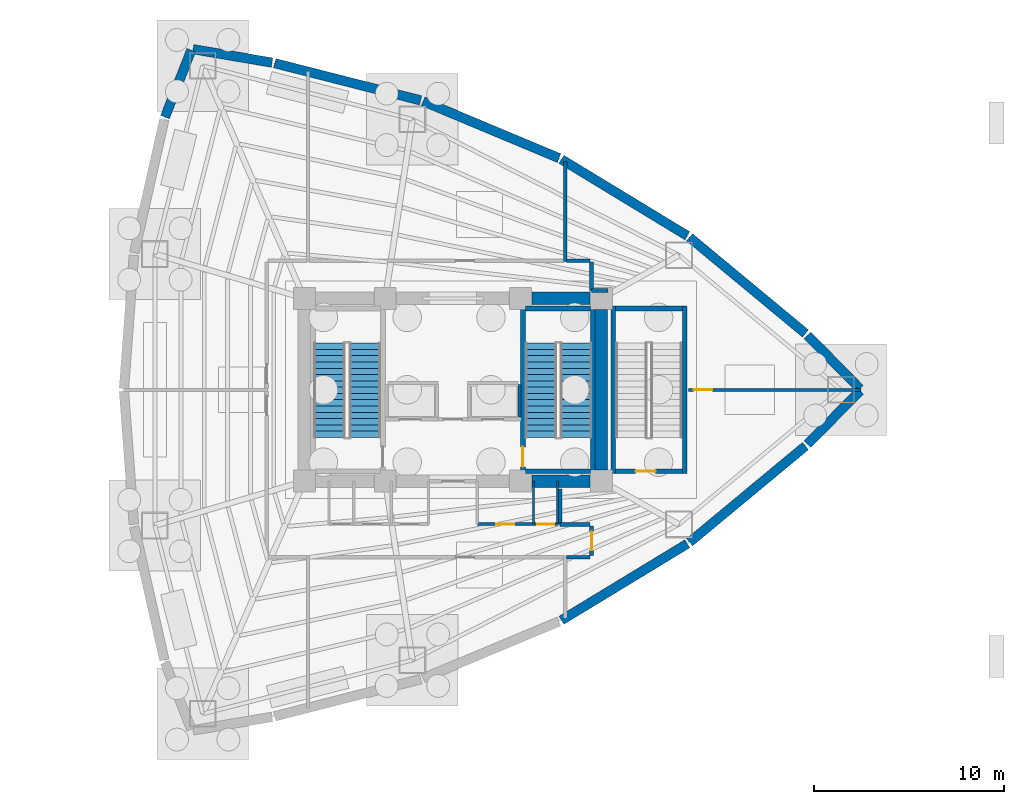
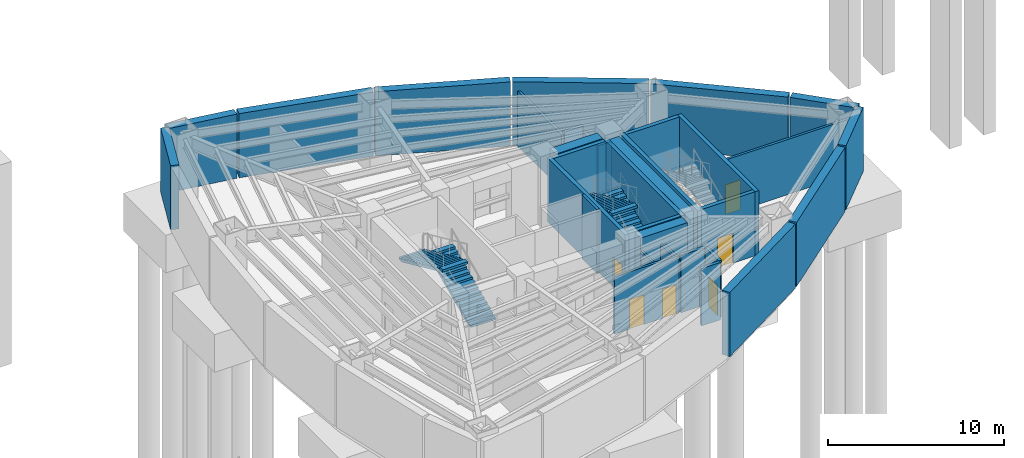
# One storey, part 4 of 7: 34 walls, 6 doors, 4 stair flights, 6 openings, 2 elements without a shape of their own.
"""IFC4 building model written with IfcOpenShell, lengths in metres."""

from ifc_helpers import new_model, si_unit, direction, frame, frame_2d, origin, place, context, subcontext, project, spatial, polyline, rectangle, outline, extrude, material, layer, layer_set, type_object, element, fill, aggregate, save


model = new_model("IFC4")

# Units and contexts
model_context = context("Model", 3, precision=1e-05, world=origin(), true_north=direction((0.0, 1.0)))
body_context = subcontext(model_context, "Body", "Model", "MODEL_VIEW")
ifc_project = project(units=[si_unit("LENGTHUNIT", "METRE"), si_unit("AREAUNIT", "SQUARE_METRE"), si_unit("VOLUMEUNIT", "CUBIC_METRE"), si_unit("PLANEANGLEUNIT", "RADIAN"), si_unit("MASSUNIT", "GRAM", prefix="KILO")], contexts=[model_context])

# Site, building, storey
site_placement = place(None, origin())
site = spatial("IfcSite", under=ifc_project, at=site_placement, CompositionType="ELEMENT")
building_placement = place(site_placement, origin())
building = spatial("IfcBuilding", under=site, at=building_placement, Name="Menara Vayukalpa", CompositionType="ELEMENT")
storey_placement = place(building_placement, frame((0.0, 0.0, -9.60009765625)))
storey = spatial("IfcBuildingStorey", under=building, at=storey_placement, Name="B02", CompositionType="ELEMENT", Elevation=-9.60009765625)

# Walls
ifc_material_1 = material(Name="Concrete C80/95", Category="concrete")
ifc_layer_1 = layer(ifc_material_1, 0.64990234375)
ifc_layer_set_1 = layer_set([ifc_layer_1], Name="Concrete C80/95")
wall_type_1 = type_object("IfcWallType", Name="WAL-CW650", PredefinedType="SHEAR", material=ifc_layer_set_1)
for number, where, z_axis, x_axis, name in (
    (1, (29.7451171875, 17.199951171875, 0.0), (0.0, 0.0, 1.0), (1.0, 0.0, 0.0), "B02 Buttressed Core Shear Wall CWS4"),
    (2, (29.7451171875, 26.800048828125, 0.0), (0.0, 0.0, 1.0), (1.0, 0.0, 0.0), "B02 Buttressed Core Shear Wall CWN4"),
):
    element("IfcWall", number, at=place(storey_placement, frame(where, z_axis=z_axis, x_axis=x_axis)), inside=storey, type_object=wall_type_1, Name=name, PredefinedType="SHEAR", context=body_context, shape_type="SweptSolid", body=[
        extrude(rectangle(XDim=3.059814453125, YDim=0.64990234375, at=frame_2d((1.52978515625, 0.0))), origin(), (0.0, 0.0, 1.0), 4.440185546875),
    ])
wall_1_placement = place(storey_placement, frame((33.39990234375, 17.794921875, 0.0), z_axis=(0.0, 0.0, 1.0), x_axis=(0.0, 1.0, 0.0)))
element("IfcWall", 3, at=wall_1_placement, inside=storey, type_object=wall_type_1, Name="B02 Buttressed Core Shear Wall CWE1", PredefinedType="SHEAR", context=body_context, shape_type="SweptSolid", body=[
    extrude(rectangle(XDim=8.41015625, YDim=0.64990234375, at=frame_2d((4.205078125, 0.0))), origin(), (0.0, 0.0, 1.0), 4.440185546875),
])
ifc_material_2 = material(Name="Lightweight Concrete Blockwork C16/20", Category="masonry")
ifc_layer_2 = layer(ifc_material_2, 0.159912109375)
ifc_layer_set_2 = layer_set([ifc_layer_2], Name="Lightweight Concrete Blockwork C16/20")
wall_type_2 = type_object("IfcWallType", Name="WAL-FR150", PredefinedType="PARTITIONING", material=ifc_layer_set_2)
wall_2_placement = place(storey_placement, frame((29.094970703125, 20.56005859375, 0.0), z_axis=(0.0, 0.0, 1.0), x_axis=(0.0, 1.0, 0.0)))
element("IfcWall", 4, at=wall_2_placement, inside=storey, type_object=wall_type_2, Name="B02 Interior Partition IW-B02-SHW-EE", PredefinedType="PARTITIONING", context=body_context, shape_type="SweptSolid", body=[
    extrude(rectangle(XDim=1.7099609375, YDim=0.159912109375, at=frame_2d((0.85498046875, 0.0))), origin(), (0.0, 0.0, 1.0), 4.440185546875),
])
wall_3_placement = place(storey_placement, frame((31.5, 28.72998046875, 0.0), z_axis=(0.0, 0.0, 1.0), x_axis=(0.0, 1.0, 0.0)))
element("IfcWall", 5, at=wall_3_placement, inside=storey, type_object=wall_type_2, Name="B02 Interior Partition IW-B02-RDIV04", PredefinedType="PARTITIONING", context=body_context, shape_type="SweptSolid", body=[
    extrude(rectangle(XDim=5.26513671875, YDim=0.159912109375, at=frame_2d((2.632568359375, 0.0))), origin(), (0.0, 0.0, 1.0), 3.820068359375),
])

# Wall, opening, door
wall_4_placement = place(storey_placement, frame((37.9599609375, 22.0, 0.0), z_axis=(0.0, 0.0, 1.0), x_axis=(1.0, 0.0, 0.0)))
wall_4 = element("IfcWall", 6, at=wall_4_placement, inside=storey, type_object=wall_type_2, Name="B02 Interior Partition IW-B02-RDIV06", PredefinedType="PARTITIONING", context=body_context, shape_type="SweptSolid", body=[
    extrude(rectangle(XDim=9.079345703125, YDim=0.159912109375, at=frame_2d((4.53955078125, 0.0))), origin(), (0.0, 0.0, 1.0), 3.820068359375),
])
opening_1_placement = place(wall_4_placement, frame((0.280029296875, 0.0, 0.0)))
opening_1 = element("IfcOpeningElement", 7, at=opening_1_placement, cuts=wall_4, Name="Opening ID3", PredefinedType="OPENING", context=body_context, shape_type="SweptSolid", body=[
    extrude(rectangle(XDim=0.97998046875, YDim=2.06005859375, at=frame_2d((0.489990234375, 1.030029296875))), frame((0.0, 0.08984375, 0.0), z_axis=(0.0, -1.0, 0.0), x_axis=(1.0, 0.0, 0.0)), (0.0, 0.0, 1.0), 0.179931640625),
])
ifc_material_3 = material(Name="Fire-Rated Powder-Coated Steel Door", Category="steel")
door_type_1 = type_object("IfcDoorType", Name="DR-FD60", OperationType="NOTDEFINED", PredefinedType="DOOR", material=ifc_material_3)
door_1_placement = place(opening_1_placement, origin())
door_1 = element("IfcDoor", 8, at=door_1_placement, inside=storey, type_object=door_type_1, Name="B02 Interior Door DR-B02-STE05", OperationType="SINGLE_SWING_RIGHT", OverallHeight=2.06005859375, OverallWidth=0.97998046875, PredefinedType="DOOR", context=body_context, shape_type="SweptSolid", body=[
    extrude(rectangle(XDim=0.97998046875, YDim=2.06005859375, at=frame_2d((0.489990234375, 1.030029296875))), frame((0.0, 0.02490234375, 0.0), z_axis=(0.0, -1.0, 0.0), x_axis=(1.0, 0.0, 0.0)), (0.0, 0.0, 1.0), 0.050048828125),
])
fill(opening_1, door_1)

# Wall
ifc_material_4 = material(Name="Lightweight Concrete Blockwork C16/20", Category="masonry")
ifc_layer_3 = layer(ifc_material_4, 0.199951171875)
ifc_layer_set_3 = layer_set([ifc_layer_3], Name="Lightweight Concrete Blockwork C16/20")
wall_type_3 = type_object("IfcWallType", Name="WAL-FR200", PredefinedType="PARTITIONING", material=ifc_layer_set_3)
wall_5_placement = place(storey_placement, frame((31.570068359375, 13.2099609375, 0.0), z_axis=(0.0, 0.0, 1.0), x_axis=(1.0, 0.0, 0.0)))
element("IfcWall", 9, at=wall_5_placement, inside=storey, type_object=wall_type_3, Name="B02 Interior Partition IW-B02-CRM04-1", PredefinedType="PARTITIONING", context=body_context, shape_type="SweptSolid", body=[
    extrude(rectangle(XDim=1.22998046875, YDim=0.199951171875, at=frame_2d((0.614990234375, 0.0))), origin(), (0.0, 0.0, 1.0), 3.97021484375),
])

# Wall, opening, door
wall_6_placement = place(storey_placement, frame((32.8798828125, 13.2900390625, 0.0), z_axis=(0.0, 0.0, 1.0), x_axis=(0.0, 1.0, 0.0)))
wall_6 = element("IfcWall", 10, at=wall_6_placement, inside=storey, type_object=wall_type_3, Name="B02 Interior Partition IW-B02-CRM04-2", PredefinedType="PARTITIONING", context=body_context, shape_type="SweptSolid", body=[
    extrude(rectangle(XDim=1.56005859375, YDim=0.199951171875, at=frame_2d((0.780029296875, 0.0))), origin(), (0.0, 0.0, 1.0), 3.97021484375),
])
opening_2_placement = place(wall_6_placement, frame((0.280029296875, 0.0, 0.0)))
opening_2 = element("IfcOpeningElement", 11, at=opening_2_placement, cuts=wall_6, Name="Opening ID3", PredefinedType="OPENING", context=body_context, shape_type="SweptSolid", body=[
    extrude(rectangle(XDim=0.97998046875, YDim=2.06005859375, at=frame_2d((0.489990234375, 1.030029296875))), frame((0.0, 0.10986328125, 0.0), z_axis=(0.0, -1.0, 0.0), x_axis=(1.0, 0.0, 0.0)), (0.0, 0.0, 1.0), 0.219970703125),
])
door_2_placement = place(opening_2_placement, origin())
door_2 = element("IfcDoor", 12, at=door_2_placement, inside=storey, type_object=door_type_1, Name="B02 Interior Door DR-B02-RM04", OperationType="SINGLE_SWING_LEFT", OverallHeight=2.06005859375, OverallWidth=0.97998046875, PredefinedType="DOOR", context=body_context, shape_type="SweptSolid", body=[
    extrude(rectangle(XDim=0.97998046875, YDim=2.06005859375, at=frame_2d((0.489990234375, 1.030029296875))), frame((0.0, 0.02490234375, 0.0), z_axis=(0.0, -1.0, 0.0), x_axis=(1.0, 0.0, 0.0)), (0.0, 0.0, 1.0), 0.050048828125),
])
fill(opening_2, door_2)

# Walls
wall_7_placement = place(storey_placement, frame((32.800048828125, 14.929931640625, 0.0), z_axis=(0.0, 0.0, 1.0), x_axis=(-1.0, 0.0, 0.0)))
element("IfcWall", 13, at=wall_7_placement, inside=storey, type_object=wall_type_3, Name="B02 Interior Partition IW-B02-CRM04-3", PredefinedType="PARTITIONING", context=body_context, shape_type="SweptSolid", body=[
    extrude(rectangle(XDim=1.580078125, YDim=0.199951171875, at=frame_2d((0.7900390625, 0.0))), origin(), (0.0, 0.0, 1.0), 3.97021484375),
])
wall_8_placement = place(storey_placement, frame((31.219970703125, 14.929931640625, 0.0), z_axis=(0.0, 0.0, 1.0), x_axis=(0.0, 1.0, 0.0)))
element("IfcWall", 14, at=wall_8_placement, inside=storey, type_object=wall_type_3, Name="B02 Interior Partition IW-B02-CRM04-4", PredefinedType="PARTITIONING", context=body_context, shape_type="SweptSolid", body=[
    extrude(rectangle(XDim=1.85009765625, YDim=0.199951171875, at=frame_2d((0.925048828125, 0.0))), origin(), (0.0, 0.0, 1.0), 3.570068359375),
])
wall_9_placement = place(storey_placement, frame((33.739990234375, 27.219970703125, 0.0), z_axis=(0.0, 0.0, 1.0), x_axis=(-1.0, 0.0, 0.0)))
element("IfcWall", 15, at=wall_9_placement, inside=storey, type_object=wall_type_3, Name="B02 Interior Partition IW-B02-CRM05-1", PredefinedType="PARTITIONING", context=body_context, shape_type="SweptSolid", body=[
    extrude(rectangle(XDim=0.860107421875, YDim=0.199951171875, at=frame_2d((0.43017578125, 0.0))), origin(), (0.0, 0.0, 1.0), 3.52001953125),
])
wall_10_placement = place(storey_placement, frame((32.8798828125, 27.219970703125, 0.0), z_axis=(0.0, 0.0, 1.0), x_axis=(0.0, 1.0, 0.0)))
element("IfcWall", 16, at=wall_10_placement, inside=storey, type_object=wall_type_3, Name="B02 Interior Partition IW-B02-CRM05-2", PredefinedType="PARTITIONING", context=body_context, shape_type="SweptSolid", body=[
    extrude(rectangle(XDim=1.47998046875, YDim=0.199951171875, at=frame_2d((0.739990234375, 0.0))), origin(), (0.0, 0.0, 1.0), 3.570068359375),
])
wall_11_placement = place(storey_placement, frame((32.800048828125, 28.780029296875, 0.0), z_axis=(0.0, 0.0, 1.0), x_axis=(-1.0, 0.0, 0.0)))
element("IfcWall", 17, at=wall_11_placement, inside=storey, type_object=wall_type_3, Name="B02 Interior Partition IW-B02-CRM05-3", PredefinedType="PARTITIONING", context=body_context, shape_type="SweptSolid", body=[
    extrude(rectangle(XDim=1.22998046875, YDim=0.199951171875, at=frame_2d((0.614990234375, 0.0))), origin(), (0.0, 0.0, 1.0), 3.97021484375),
])
ifc_material_5 = material(Name="Acoustic Mineral Stud Partition", Category="masonry")
ifc_layer_4 = layer(ifc_material_5, 0.110107421875)
ifc_layer_set_4 = layer_set([ifc_layer_4], Name="Acoustic Mineral Stud Partition")
wall_type_4 = type_object("IfcWallType", Name="WAL-PT110", PredefinedType="PARTITIONING", material=ifc_layer_set_4)
wall_12_placement = place(storey_placement, frame((31.10009765625, 14.949951171875, 0.0), z_axis=(0.0, 0.0, 1.0), x_axis=(0.0, 1.0, 0.0)))
element("IfcWall", 18, at=wall_12_placement, inside=storey, type_object=wall_type_4, Name="B02 Interior Partition IW-B02-SVCD-07", PredefinedType="PARTITIONING", context=body_context, shape_type="SweptSolid", body=[
    extrude(rectangle(XDim=2.25, YDim=0.110107421875, at=frame_2d((1.125, 0.0))), origin(), (0.0, 0.0, 1.0), 3.570068359375),
])
ifc_material_6 = material(Name="Gypsum Drywall Steel Stud Assembly", Category="steel")
ifc_layer_5 = layer(ifc_material_6, 0.125)
ifc_layer_set_5 = layer_set([ifc_layer_5], Name="Gypsum Drywall Steel Stud Assembly")
wall_type_5 = type_object("IfcWallType", Name="WAL-PT125", PredefinedType="PARTITIONING", material=ifc_layer_set_5)
wall_13_placement = place(storey_placement, frame((29.830078125, 14.949951171875, 0.0), z_axis=(0.0, 0.0, 1.0), x_axis=(0.0, 1.0, 0.0)))
element("IfcWall", 19, at=wall_13_placement, inside=storey, type_object=wall_type_5, Name="B02 Interior Partition IW-B02-SVCD-06", PredefinedType="PARTITIONING", context=body_context, shape_type="SweptSolid", body=[
    extrude(rectangle(XDim=2.25, YDim=0.125, at=frame_2d((1.125, 0.0))), origin(), (0.0, 0.0, 1.0), 3.570068359375),
])

# Wall, openings, doors
ifc_material_7 = material(Name="Gypsum Drywall Acoustic Stud Assembly", Category="masonry")
ifc_layer_6 = layer(ifc_material_7, 0.14501953125)
ifc_layer_set_6 = layer_set([ifc_layer_6], Name="Gypsum Drywall Acoustic Stud Assembly")
wall_type_6 = type_object("IfcWallType", Name="WAL-PT150", PredefinedType="PARTITIONING", material=ifc_layer_set_6)
wall_14_placement = place(storey_placement, frame((26.8798828125, 14.949951171875, 0.0), z_axis=(0.0, 0.0, 1.0), x_axis=(1.0, 0.0, 0.0)))
wall_14 = element("IfcWall", 20, at=wall_14_placement, inside=storey, type_object=wall_type_6, Name="B02 Interior Partition IW-B02-SVCS-E", PredefinedType="PARTITIONING", context=body_context, shape_type="SweptSolid", body=[
    extrude(rectangle(XDim=4.22021484375, YDim=0.14501953125, at=frame_2d((2.110107421875, 0.0))), origin(), (0.0, 0.0, 1.0), 3.97021484375),
])
opening_3_placement = place(wall_14_placement, frame((0.9951171875, 0.0, 0.0)))
opening_3 = element("IfcOpeningElement", 21, at=opening_3_placement, cuts=wall_14, Name="Opening ID5", PredefinedType="OPENING", context=body_context, shape_type="SweptSolid", body=[
    extrude(rectangle(XDim=0.949951171875, YDim=2.06005859375, at=frame_2d((0.47509765625, 1.030029296875))), frame((0.0, 0.08251953125, 0.0), z_axis=(0.0, -1.0, 0.0), x_axis=(1.0, 0.0, 0.0)), (0.0, 0.0, 1.0), 0.1650390625),
])
opening_4_placement = place(wall_14_placement, frame((3.139892578125, 0.0, 0.0)))
opening_4 = element("IfcOpeningElement", 22, at=opening_4_placement, cuts=wall_14, Name="Opening ID7", PredefinedType="OPENING", context=body_context, shape_type="SweptSolid", body=[
    extrude(rectangle(XDim=0.89990234375, YDim=2.02001953125, at=frame_2d((0.449951171875, 1.010009765625))), frame((0.0, 0.08251953125, 0.0), z_axis=(0.0, -1.0, 0.0), x_axis=(1.0, 0.0, 0.0)), (0.0, 0.0, 1.0), 0.1650390625),
])
ifc_material_8 = material(Name="Acoustic Hardwood Veneer Timber Door", Category="wood")
door_type_2 = type_object("IfcDoorType", Name="DR-INT95", OperationType="NOTDEFINED", PredefinedType="DOOR", material=ifc_material_8)
door_3_placement = place(opening_3_placement, origin())
door_3 = element("IfcDoor", 23, at=door_3_placement, inside=storey, type_object=door_type_2, Name="B02 Interior Door DR-B02-KSV1", OperationType="SINGLE_SWING_LEFT", OverallHeight=2.06005859375, OverallWidth=0.949951171875, PredefinedType="DOOR", context=body_context, shape_type="SweptSolid", body=[
    extrude(rectangle(XDim=0.949951171875, YDim=2.06005859375, at=frame_2d((0.47509765625, 1.030029296875))), frame((0.0, 0.02490234375, 0.0), z_axis=(0.0, -1.0, 0.0), x_axis=(1.0, 0.0, 0.0)), (0.0, 0.0, 1.0), 0.050048828125),
])
fill(opening_3, door_3)
ifc_material_9 = material(Name="Powder-Coated Steel Riser Access Door", Category="steel")
door_type_3 = type_object("IfcDoorType", Name="DR-RISER", OperationType="NOTDEFINED", PredefinedType="DOOR", material=ifc_material_9)
door_4_placement = place(opening_4_placement, origin())
door_4 = element("IfcDoor", 24, at=door_4_placement, inside=storey, type_object=door_type_3, Name="B02 Interior Door DR-B02-SMD", OperationType="SINGLE_SWING_RIGHT", OverallHeight=2.02001953125, OverallWidth=0.89990234375, PredefinedType="DOOR", context=body_context, shape_type="SweptSolid", body=[
    extrude(rectangle(XDim=0.89990234375, YDim=2.02001953125, at=frame_2d((0.449951171875, 1.010009765625))), frame((0.0, 0.02490234375, 0.0), z_axis=(0.0, -1.0, 0.0), x_axis=(1.0, 0.0, 0.0)), (0.0, 0.0, 1.0), 0.050048828125),
])
fill(opening_4, door_4)

# Walls
ifc_material_10 = material(Name="Concrete C50/60", Category="concrete")
ifc_layer_7 = layer(ifc_material_10, 0.5)
ifc_layer_set_7 = layer_set([ifc_layer_7], Name="Concrete C50/60")
wall_type_7 = type_object("IfcWallType", Name="WAL-RW500", PredefinedType="USERDEFINED", material=ifc_layer_set_7)
for number, where, z_axis, x_axis, name in (
    (25, (44.219482421875, 19.13818359375, 0.0), (0.0, 0.0, 1.0), (0.700571726223, 0.713581989975, 0.0), "B02 Diaphragm Retaining Wall 01"),
    (26, (46.980224609375, 22.0498046875, 0.0), (0.0, 0.0, 1.0), (-0.700571726223, 0.713581989975, 0.0), "B02 Diaphragm Retaining Wall 02"),
):
    element("IfcWall", number, at=place(storey_placement, frame(where, z_axis=z_axis, x_axis=x_axis)), inside=storey, type_object=wall_type_7, Name=name, ObjectType="RETAININGWALL", PredefinedType="USERDEFINED", context=body_context, shape_type="SweptSolid", body=[
        extrude(rectangle(XDim=3.940673828125, YDim=0.5, at=frame_2d((1.97021484375, 0.0))), origin(), (0.0, 0.0, 1.0), 4.440185546875),
    ])
wall_15_placement = place(storey_placement, frame((44.116455078125, 24.95654296875, 0.0), z_axis=(0.0, 0.0, 1.0), x_axis=(-0.769752042576, 0.638343005719, 0.0)))
element("IfcWall", 27, at=wall_15_placement, inside=storey, type_object=wall_type_7, Name="B02 Diaphragm Retaining Wall 03", ObjectType="RETAININGWALL", PredefinedType="USERDEFINED", context=body_context, shape_type="SweptSolid", body=[
    extrude(rectangle(XDim=7.910888671875, YDim=0.5, at=frame_2d((3.95556640625, 0.0))), origin(), (0.0, 0.0, 1.0), 4.440185546875),
])
for number, where, z_axis, x_axis, name in (
    (28, (37.913330078125, 30.08740234375, 0.0), (0.0, 0.0, 1.0), (-0.85465950116, 0.519188922337, 0.0), "B02 Diaphragm Retaining Wall 04"),
    (29, (31.1767578125, 34.16748046875, 0.0), (0.0, 0.0, 1.0), (-0.922541071148, 0.385898914283, 0.0), "B02 Diaphragm Retaining Wall 05"),
):
    element("IfcWall", number, at=place(storey_placement, frame(where, z_axis=z_axis, x_axis=x_axis)), inside=storey, type_object=wall_type_7, Name=name, ObjectType="RETAININGWALL", PredefinedType="USERDEFINED", context=body_context, shape_type="SweptSolid", body=[
        extrude(rectangle(XDim=7.73681640625, YDim=0.5, at=frame_2d((3.868408203125, 0.0))), origin(), (0.0, 0.0, 1.0), 4.440185546875),
    ])
wall_16_placement = place(storey_placement, frame((23.906982421875, 37.197265625, 0.0), z_axis=(0.0, 0.0, 1.0), x_axis=(-0.968980634568, 0.247136662259, 0.0)))
element("IfcWall", 30, at=wall_16_placement, inside=storey, type_object=wall_type_7, Name="B02 Diaphragm Retaining Wall 06", ObjectType="RETAININGWALL", PredefinedType="USERDEFINED", context=body_context, shape_type="SweptSolid", body=[
    extrude(rectangle(XDim=7.910888671875, YDim=0.5, at=frame_2d((3.95556640625, 0.0))), origin(), (0.0, 0.0, 1.0), 4.440185546875),
])
wall_17_placement = place(storey_placement, frame((16.1044921875, 39.181396484375, 0.0), z_axis=(0.0, 0.0, 1.0), x_axis=(-0.985902093333, 0.167323227205, 0.0)))
element("IfcWall", 31, at=wall_17_placement, inside=storey, type_object=wall_type_7, Name="B02 Diaphragm Retaining Wall 07", ObjectType="RETAININGWALL", PredefinedType="USERDEFINED", context=body_context, shape_type="SweptSolid", body=[
    extrude(rectangle(XDim=4.20947265625, YDim=0.5, at=frame_2d((2.104736328125, 0.0))), origin(), (0.0, 0.0, 1.0), 4.440185546875),
])
wall_18_placement = place(storey_placement, frame((11.85986328125, 39.832275390625, 0.0), z_axis=(0.0, 0.0, 1.0), x_axis=(-0.365544181941, -0.930793989586, 0.0)))
element("IfcWall", 32, at=wall_18_placement, inside=storey, type_object=wall_type_7, Name="B02 Diaphragm Retaining Wall 08", ObjectType="RETAININGWALL", PredefinedType="USERDEFINED", context=body_context, shape_type="SweptSolid", body=[
    extrude(rectangle(XDim=3.770263671875, YDim=0.5, at=frame_2d((1.88525390625, 0.0))), origin(), (0.0, 0.0, 1.0), 4.440185546875),
])
wall_19_placement = place(storey_placement, frame((31.301025390625, 9.895751953125, 0.0), z_axis=(0.0, 0.0, 1.0), x_axis=(0.85465950116, 0.519188922337, 0.0)))
element("IfcWall", 33, at=wall_19_placement, inside=storey, type_object=wall_type_7, Name="B02 Diaphragm Retaining Wall 17", ObjectType="RETAININGWALL", PredefinedType="USERDEFINED", context=body_context, shape_type="SweptSolid", body=[
    extrude(rectangle(XDim=7.73681640625, YDim=0.5, at=frame_2d((3.868408203125, 0.0))), origin(), (0.0, 0.0, 1.0), 4.440185546875),
])
wall_20_placement = place(storey_placement, frame((38.027099609375, 13.99365234375, 0.0), z_axis=(0.0, 0.0, 1.0), x_axis=(0.769752042576, 0.638343005719, 0.0)))
element("IfcWall", 34, at=wall_20_placement, inside=storey, type_object=wall_type_7, Name="B02 Diaphragm Retaining Wall 18", ObjectType="RETAININGWALL", PredefinedType="USERDEFINED", context=body_context, shape_type="SweptSolid", body=[
    extrude(rectangle(XDim=7.910888671875, YDim=0.5, at=frame_2d((3.95556640625, 0.0))), origin(), (0.0, 0.0, 1.0), 4.440185546875),
])

# Wall, opening, door
ifc_material_11 = material(Name="Concrete C50/60", Category="concrete")
ifc_layer_8 = layer(ifc_material_11, 0.25)
ifc_layer_set_8 = layer_set([ifc_layer_8], Name="Concrete C50/60")
wall_type_8 = type_object("IfcWallType", Name="WAL-SW250", PredefinedType="SHEAR", material=ifc_layer_set_8)
wall_21_placement = place(storey_placement, frame((29.27490234375, 17.60009765625, 0.0), z_axis=(0.0, 0.0, 1.0), x_axis=(0.0, 1.0, 0.0)))
wall_21 = element("IfcWall", 35, at=wall_21_placement, inside=storey, type_object=wall_type_8, Name="B02 ST2 Structural Stair Shaft Wall W", PredefinedType="SHEAR", context=body_context, shape_type="SweptSolid", body=[
    extrude(rectangle(XDim=8.7998046875, YDim=0.25, at=frame_2d((4.39990234375, 0.0))), origin(), (0.0, 0.0, 1.0), 4.440185546875),
])
opening_5_placement = place(wall_21_placement, frame((0.35009765625, 0.0, 0.0)))
opening_5 = element("IfcOpeningElement", 36, at=opening_5_placement, cuts=wall_21, Name="Opening ID1", PredefinedType="OPENING", context=body_context, shape_type="SweptSolid", body=[
    extrude(rectangle(XDim=1.050048828125, YDim=2.080078125, at=frame_2d((0.52490234375, 1.0400390625))), frame((0.0, 0.135009765625, 0.0), z_axis=(0.0, -1.0, 0.0), x_axis=(1.0, 0.0, 0.0)), (0.0, 0.0, 1.0), 0.27001953125),
])
ifc_material_12 = material(Name="Fire-Rated Powder-Coated Steel Door", Category="steel")
door_type_4 = type_object("IfcDoorType", Name="DR-FD120", OperationType="NOTDEFINED", PredefinedType="DOOR", material=ifc_material_12)
door_5_placement = place(opening_5_placement, origin())
door_5 = element("IfcDoor", 37, at=door_5_placement, inside=storey, type_object=door_type_4, Name="B02 Stair Exit Door DR-B02-ST2", OperationType="SINGLE_SWING_RIGHT", OverallHeight=2.080078125, OverallWidth=1.050048828125, PredefinedType="DOOR", context=body_context, shape_type="SweptSolid", body=[
    extrude(rectangle(XDim=1.050048828125, YDim=2.080078125, at=frame_2d((0.52490234375, 1.0400390625))), frame((0.0, 0.02490234375, 0.0), z_axis=(0.0, -1.0, 0.0), x_axis=(1.0, 0.0, 0.0)), (0.0, 0.0, 1.0), 0.050048828125),
])
fill(opening_5, door_5)

# Walls
wall_22_placement = place(storey_placement, frame((32.946044921875, 17.60009765625, 0.0), z_axis=(0.0, 0.0, 1.0), x_axis=(0.0, 1.0, 0.0)))
element("IfcWall", 38, at=wall_22_placement, inside=storey, type_object=wall_type_8, Name="B02 ST2 Structural Stair Shaft Wall E", PredefinedType="SHEAR", context=body_context, shape_type="SweptSolid", body=[
    extrude(rectangle(XDim=8.7998046875, YDim=0.25, at=frame_2d((4.39990234375, 0.0))), origin(), (0.0, 0.0, 1.0), 4.440185546875),
])
for number, where, z_axis, x_axis, name in (
    (39, (29.39990234375, 17.72509765625, 0.0), (0.0, 0.0, 1.0), (1.0, 0.0, 0.0), "B02 ST2 Structural Stair Shaft Wall S"),
    (40, (29.39990234375, 26.27490234375, 0.0), (0.0, 0.0, 1.0), (1.0, 0.0, 0.0), "B02 ST2 Structural Stair Shaft Wall N"),
):
    element("IfcWall", number, at=place(storey_placement, frame(where, z_axis=z_axis, x_axis=x_axis)), inside=storey, type_object=wall_type_8, Name=name, PredefinedType="SHEAR", context=body_context, shape_type="SweptSolid", body=[
        extrude(rectangle(XDim=3.421142578125, YDim=0.25, at=frame_2d((1.71044921875, 0.0))), origin(), (0.0, 0.0, 1.0), 4.440185546875),
    ])
for number, where, z_axis, x_axis, name in (
    (41, (34.02490234375, 17.60009765625, 0.0), (0.0, 0.0, 1.0), (0.0, 1.0, 0.0), "B02 ST3 Structural Stair Shaft Wall W"),
    (42, (37.77490234375, 17.60009765625, 0.0), (0.0, 0.0, 1.0), (0.0, 1.0, 0.0), "B02 ST3 Structural Stair Shaft Wall E"),
):
    element("IfcWall", number, at=place(storey_placement, frame(where, z_axis=z_axis, x_axis=x_axis)), inside=storey, type_object=wall_type_8, Name=name, PredefinedType="SHEAR", context=body_context, shape_type="SweptSolid", body=[
        extrude(rectangle(XDim=8.7998046875, YDim=0.25, at=frame_2d((4.39990234375, 0.0))), origin(), (0.0, 0.0, 1.0), 4.440185546875),
    ])

# Wall, opening, door
wall_23_placement = place(storey_placement, frame((34.14990234375, 17.72509765625, 0.0), z_axis=(0.0, 0.0, 1.0), x_axis=(1.0, 0.0, 0.0)))
wall_23 = element("IfcWall", 43, at=wall_23_placement, inside=storey, type_object=wall_type_8, Name="B02 ST3 Structural Stair Shaft Wall S", PredefinedType="SHEAR", context=body_context, shape_type="SweptSolid", body=[
    extrude(rectangle(XDim=3.5, YDim=0.25, at=frame_2d((1.75, 0.0))), origin(), (0.0, 0.0, 1.0), 4.440185546875),
])
opening_6_placement = place(wall_23_placement, frame((1.050048828125, 0.0, 0.0)))
opening_6 = element("IfcOpeningElement", 44, at=opening_6_placement, cuts=wall_23, Name="Opening ID1", PredefinedType="OPENING", context=body_context, shape_type="SweptSolid", body=[
    extrude(rectangle(XDim=1.050048828125, YDim=2.080078125, at=frame_2d((0.52490234375, 1.0400390625))), frame((0.0, 0.135009765625, 0.0), z_axis=(0.0, -1.0, 0.0), x_axis=(1.0, 0.0, 0.0)), (0.0, 0.0, 1.0), 0.27001953125),
])
door_6_placement = place(opening_6_placement, origin())
door_6 = element("IfcDoor", 45, at=door_6_placement, inside=storey, type_object=door_type_4, Name="B02 Stair Exit Door DR-B02-ST3", OperationType="SINGLE_SWING_RIGHT", OverallHeight=2.080078125, OverallWidth=1.050048828125, PredefinedType="DOOR", context=body_context, shape_type="SweptSolid", body=[
    extrude(rectangle(XDim=1.050048828125, YDim=2.080078125, at=frame_2d((0.52490234375, 1.0400390625))), frame((0.0, 0.02490234375, 0.0), z_axis=(0.0, -1.0, 0.0), x_axis=(1.0, 0.0, 0.0)), (0.0, 0.0, 1.0), 0.050048828125),
])
fill(opening_6, door_6)

# Wall
wall_24_placement = place(storey_placement, frame((34.14990234375, 26.27490234375, 0.0), z_axis=(0.0, 0.0, 1.0), x_axis=(1.0, 0.0, 0.0)))
element("IfcWall", 46, at=wall_24_placement, inside=storey, type_object=wall_type_8, Name="B02 ST3 Structural Stair Shaft Wall N", PredefinedType="SHEAR", context=body_context, shape_type="SweptSolid", body=[
    extrude(rectangle(XDim=3.5, YDim=0.25, at=frame_2d((1.75, 0.0))), origin(), (0.0, 0.0, 1.0), 4.440185546875),
])

# Stair, stair flights
ifc_material_13 = material(Name="Precast Concrete C40/50", Category="concrete")
stair_type = type_object("IfcStairType", Name="STR-T01", PredefinedType="DOUBLE_RETURN_STAIR", material=ifc_material_13)
stair_1_placement = place(storey_placement, origin())
stair_1 = element("IfcStair", 47, at=stair_1_placement, inside=storey, type_object=stair_type, Name="B02 Core Exit Stair ST-1", PredefinedType="DOUBLE_RETURN_STAIR")
ifc_material_14 = material(Name="Precast Concrete C40/50", Category="concrete")
stair_flight_type = type_object("IfcStairFlightType", Name="STF-T01", PredefinedType="STRAIGHT", material=ifc_material_14)
stair_flight_1_placement = place(storey_placement, frame((20.97509765625, 19.5, 0.0), z_axis=(0.0, 0.0, 1.0), x_axis=(0.0, 1.0, 0.0)))
stair_flight_1 = element("IfcStairFlight", 48, at=stair_flight_1_placement, type_object=stair_flight_type, Name="ST-1 flight 1", NumberOfRisers=16, NumberOfTreads=15, PredefinedType="STRAIGHT", RiserHeight=0.15, TreadLength=0.33, context=body_context, shape_type="SweptSolid", body=[
    extrude(outline(polyline([(0.0, 0.0), (0.0, 0.14990234375), (0.330078125, 0.14990234375), (0.330078125, 0.300048828125), (0.659912109375, 0.300048828125), (0.659912109375, 0.449951171875), (0.989990234375, 0.449951171875), (0.989990234375, 0.60009765625), (1.320068359375, 0.60009765625), (1.320068359375, 0.75), (1.64990234375, 0.75), (1.64990234375, 0.89990234375), (1.97998046875, 0.89990234375), (1.97998046875, 1.050048828125), (2.31005859375, 1.050048828125), (2.31005859375, 1.199951171875), (2.639892578125, 1.199951171875), (2.639892578125, 1.35009765625), (2.969970703125, 1.35009765625), (2.969970703125, 1.5), (3.300048828125, 1.5), (3.300048828125, 1.64990234375), (3.6298828125, 1.64990234375), (3.6298828125, 1.800048828125), (3.9599609375, 1.800048828125), (3.9599609375, 1.949951171875), (4.2900390625, 1.949951171875), (4.2900390625, 2.10009765625), (4.6201171875, 2.10009765625), (4.6201171875, 2.25), (4.949951171875, 2.25), (4.949951171875, 2.39990234375), (4.949951171875, 2.08544921875), (0.3623046875, 0.0), (0.0, 0.0)])), frame((0.0, 0.824951171875, 0.0), z_axis=(0.0, -1.0, 0.0), x_axis=(1.0, 0.0, 0.0)), (0.0, 0.0, 1.0), 1.64990234375),
])
stair_flight_2_placement = place(storey_placement, frame((19.125, 24.449951171875, 2.400146484375), z_axis=(0.0, 0.0, 1.0), x_axis=(0.0, -1.0, 0.0)))
stair_flight_2 = element("IfcStairFlight", 49, at=stair_flight_2_placement, type_object=stair_flight_type, Name="ST-1 flight 2", NumberOfRisers=16, NumberOfTreads=15, PredefinedType="STRAIGHT", RiserHeight=0.15, TreadLength=0.33, context=body_context, shape_type="SweptSolid", body=[
    extrude(outline(polyline([(0.0, 0.0), (0.0, 0.14990234375), (0.330078125, 0.14990234375), (0.330078125, 0.300048828125), (0.659912109375, 0.300048828125), (0.659912109375, 0.449951171875), (0.989990234375, 0.449951171875), (0.989990234375, 0.60009765625), (1.320068359375, 0.60009765625), (1.320068359375, 0.75), (1.64990234375, 0.75), (1.64990234375, 0.89990234375), (1.97998046875, 0.89990234375), (1.97998046875, 1.050048828125), (2.31005859375, 1.050048828125), (2.31005859375, 1.199951171875), (2.639892578125, 1.199951171875), (2.639892578125, 1.35009765625), (2.969970703125, 1.35009765625), (2.969970703125, 1.5), (3.300048828125, 1.5), (3.300048828125, 1.64990234375), (3.6298828125, 1.64990234375), (3.6298828125, 1.800048828125), (3.9599609375, 1.800048828125), (3.9599609375, 1.949951171875), (4.2900390625, 1.949951171875), (4.2900390625, 2.10009765625), (4.6201171875, 2.10009765625), (4.6201171875, 2.25), (4.949951171875, 2.25), (4.949951171875, 2.39990234375), (4.949951171875, 2.08544921875), (0.3623046875, 0.0), (0.0, 0.0)])), frame((0.0, 0.824951171875, 0.0), z_axis=(0.0, -1.0, 0.0), x_axis=(1.0, 0.0, 0.0)), (0.0, 0.0, 1.0), 1.64990234375),
])
aggregate(stair_1, [stair_flight_1, stair_flight_2])

stair_2_placement = place(storey_placement, origin())
stair_2 = element("IfcStair", 50, at=stair_2_placement, inside=storey, type_object=stair_type, Name="B02 Core Exit Stair ST-2", PredefinedType="DOUBLE_RETURN_STAIR")
stair_flight_3_placement = place(storey_placement, frame((32.074951171875, 19.5, 0.0), z_axis=(0.0, 0.0, 1.0), x_axis=(0.0, 1.0, 0.0)))
stair_flight_3 = element("IfcStairFlight", 51, at=stair_flight_3_placement, type_object=stair_flight_type, Name="ST-2 flight 1", NumberOfRisers=16, NumberOfTreads=15, PredefinedType="STRAIGHT", RiserHeight=0.15, TreadLength=0.33, context=body_context, shape_type="SweptSolid", body=[
    extrude(outline(polyline([(0.0, 0.0), (0.0, 0.14990234375), (0.330078125, 0.14990234375), (0.330078125, 0.300048828125), (0.659912109375, 0.300048828125), (0.659912109375, 0.449951171875), (0.989990234375, 0.449951171875), (0.989990234375, 0.60009765625), (1.320068359375, 0.60009765625), (1.320068359375, 0.75), (1.64990234375, 0.75), (1.64990234375, 0.89990234375), (1.97998046875, 0.89990234375), (1.97998046875, 1.050048828125), (2.31005859375, 1.050048828125), (2.31005859375, 1.199951171875), (2.639892578125, 1.199951171875), (2.639892578125, 1.35009765625), (2.969970703125, 1.35009765625), (2.969970703125, 1.5), (3.300048828125, 1.5), (3.300048828125, 1.64990234375), (3.6298828125, 1.64990234375), (3.6298828125, 1.800048828125), (3.9599609375, 1.800048828125), (3.9599609375, 1.949951171875), (4.2900390625, 1.949951171875), (4.2900390625, 2.10009765625), (4.6201171875, 2.10009765625), (4.6201171875, 2.25), (4.949951171875, 2.25), (4.949951171875, 2.39990234375), (4.949951171875, 2.08544921875), (0.3623046875, 0.0), (0.0, 0.0)])), frame((0.0, 0.824951171875, 0.0), z_axis=(0.0, -1.0, 0.0), x_axis=(1.0, 0.0, 0.0)), (0.0, 0.0, 1.0), 1.64990234375),
])
stair_flight_4_placement = place(storey_placement, frame((30.22509765625, 24.449951171875, 2.400146484375), z_axis=(0.0, 0.0, 1.0), x_axis=(0.0, -1.0, 0.0)))
stair_flight_4 = element("IfcStairFlight", 52, at=stair_flight_4_placement, type_object=stair_flight_type, Name="ST-2 flight 2", NumberOfRisers=16, NumberOfTreads=15, PredefinedType="STRAIGHT", RiserHeight=0.15, TreadLength=0.33, context=body_context, shape_type="SweptSolid", body=[
    extrude(outline(polyline([(0.0, 0.0), (0.0, 0.14990234375), (0.330078125, 0.14990234375), (0.330078125, 0.300048828125), (0.659912109375, 0.300048828125), (0.659912109375, 0.449951171875), (0.989990234375, 0.449951171875), (0.989990234375, 0.60009765625), (1.320068359375, 0.60009765625), (1.320068359375, 0.75), (1.64990234375, 0.75), (1.64990234375, 0.89990234375), (1.97998046875, 0.89990234375), (1.97998046875, 1.050048828125), (2.31005859375, 1.050048828125), (2.31005859375, 1.199951171875), (2.639892578125, 1.199951171875), (2.639892578125, 1.35009765625), (2.969970703125, 1.35009765625), (2.969970703125, 1.5), (3.300048828125, 1.5), (3.300048828125, 1.64990234375), (3.6298828125, 1.64990234375), (3.6298828125, 1.800048828125), (3.9599609375, 1.800048828125), (3.9599609375, 1.949951171875), (4.2900390625, 1.949951171875), (4.2900390625, 2.10009765625), (4.6201171875, 2.10009765625), (4.6201171875, 2.25), (4.949951171875, 2.25), (4.949951171875, 2.39990234375), (4.949951171875, 2.08544921875), (0.3623046875, 0.0), (0.0, 0.0)])), frame((0.0, 0.824951171875, 0.0), z_axis=(0.0, -1.0, 0.0), x_axis=(1.0, 0.0, 0.0)), (0.0, 0.0, 1.0), 1.64990234375),
])
aggregate(stair_2, [stair_flight_3, stair_flight_4])

save(model, "model.ifc")
